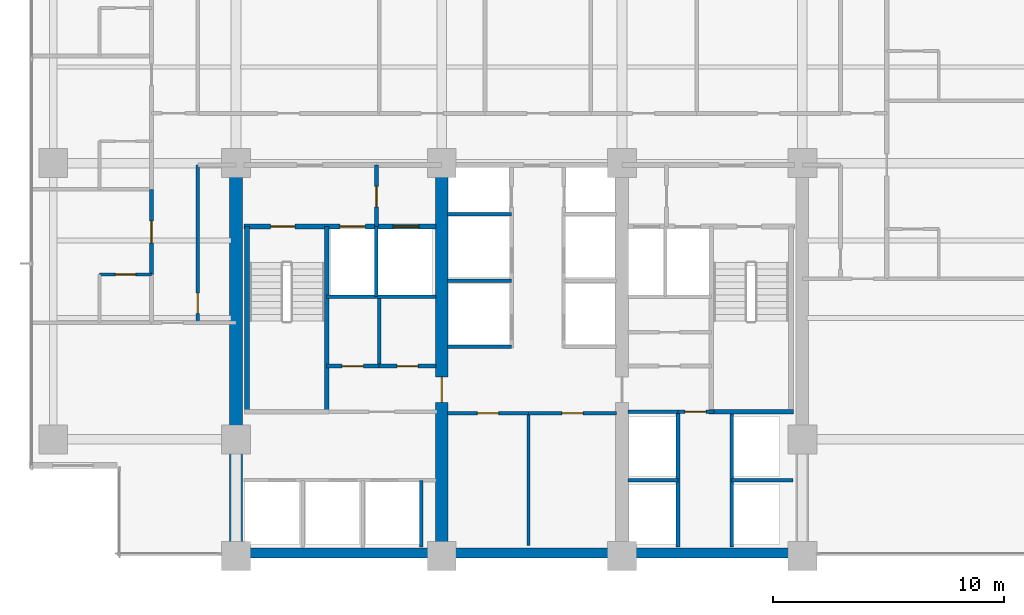
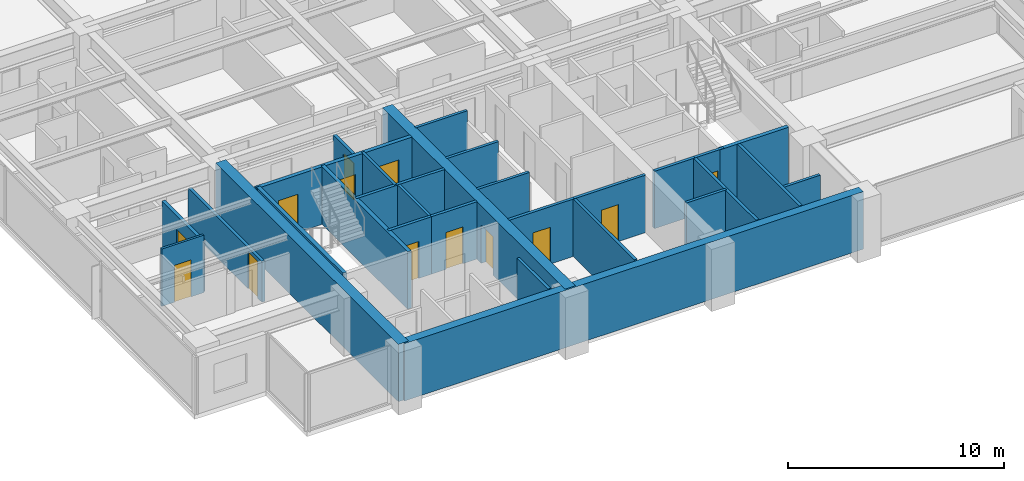
# One storey, part 8 of 17: 29 walls, 13 doors, 13 openings.
"""IFC4 building model written with IfcOpenShell, lengths in metres."""

from ifc_helpers import new_model, si_unit, direction, frame, frame_2d, origin, place, context, subcontext, project, spatial, rectangle, extrude, material, layer, layer_set, type_object, element, fill, save


model = new_model("IFC4")

# Units and contexts
model_context = context("Model", 3, precision=1e-05, world=origin(), true_north=direction((0.0, 1.0)))
body_context = subcontext(model_context, "Body", "Model", "MODEL_VIEW")
ifc_project = project(units=[si_unit("LENGTHUNIT", "METRE"), si_unit("AREAUNIT", "SQUARE_METRE"), si_unit("VOLUMEUNIT", "CUBIC_METRE"), si_unit("PLANEANGLEUNIT", "RADIAN"), si_unit("MASSUNIT", "GRAM", prefix="KILO")], contexts=[model_context])

# Site, building, storey
site_placement = place(None, origin())
site = spatial("IfcSite", under=ifc_project, at=site_placement, CompositionType="ELEMENT")
building_placement = place(site_placement, origin())
building = spatial("IfcBuilding", under=site, at=building_placement, Name="Qalmaran Belvedere Hotel", CompositionType="ELEMENT")
storey_placement = place(building_placement, frame((0.0, 0.0, 112.699951171875)))
storey = spatial("IfcBuildingStorey", under=building, at=storey_placement, Name="L28", CompositionType="ELEMENT", Elevation=112.699951171875)

# Wall
ifc_material_1 = material(Name="Concrete C60/75", Category="concrete")
ifc_layer_1 = layer(ifc_material_1, 0.550048828125, Name="Concrete C60/75")
ifc_layer_set_1 = layer_set([ifc_layer_1], Name="Concrete C60/75")
wall_type_1 = type_object("IfcWallType", Name="WL-CORE-550-C60", PredefinedType="SHEAR", material=ifc_layer_set_1)
wall_1_placement = place(storey_placement, frame((20.300048828125, 3.5, 0.0), z_axis=(0.0, 0.0, 1.0), x_axis=(0.0, 1.0, 0.0)))
element("IfcWall", 1, at=wall_1_placement, inside=storey, type_object=wall_type_1, Name="L28 West Core Shear Wall", PredefinedType="SHEAR", context=body_context, shape_type="SweptSolid", body=[
    extrude(rectangle(XDim=16.89990234375, YDim=0.550048828125, at=frame_2d((8.449951171875, 0.0))), origin(), (0.0, 0.0, 1.0), 3.239990234375),
])

# Wall, opening, door
wall_2_placement = place(storey_placement, frame((29.199951171875, 3.5, 0.0), z_axis=(0.0, 0.0, 1.0), x_axis=(0.0, 1.0, 0.0)))
wall_2 = element("IfcWall", 2, at=wall_2_placement, inside=storey, type_object=wall_type_1, Name="L28 Core West Spine Shear Wall", PredefinedType="SHEAR", context=body_context, shape_type="SweptSolid", body=[
    extrude(rectangle(XDim=16.89990234375, YDim=0.550048828125, at=frame_2d((8.449951171875, 0.0))), origin(), (0.0, 0.0, 1.0), 3.239990234375),
])
opening_1_placement = place(wall_2_placement, frame((7.75, 0.0, 0.0), z_axis=(0.0, 0.0, 1.0), x_axis=(-1.0, 0.0, 0.0)))
opening_1 = element("IfcOpeningElement", 3, at=opening_1_placement, cuts=wall_2, Name="Opening FD90", PredefinedType="OPENING", context=body_context, shape_type="SweptSolid", body=[
    extrude(rectangle(XDim=1.10009765625, YDim=2.14990234375, at=frame_2d((0.550048828125, 1.074951171875))), frame((0.0, 0.28515625, 0.0), z_axis=(0.0, -1.0, 0.0), x_axis=(1.0, 0.0, 0.0)), (0.0, 0.0, 1.0), 0.570068359375),
])
ifc_material_2 = material(Name="Steel S355JR", Category="steel")
door_type_1 = type_object("IfcDoorType", Name="DR-FD90-1100X2150", OperationType="NOTDEFINED", PredefinedType="DOOR", material=ifc_material_2)
door_1_placement = place(opening_1_placement, origin())
door_1 = element("IfcDoor", 4, at=door_1_placement, inside=storey, type_object=door_type_1, Name="L28 Core West Cross-Lobby Door", OperationType="SINGLE_SWING_RIGHT", OverallHeight=2.14990234375, OverallWidth=1.10009765625, PredefinedType="DOOR", context=body_context, shape_type="SweptSolid", body=[
    extrude(rectangle(XDim=1.10009765625, YDim=2.14990234375, at=frame_2d((0.550048828125, 1.074951171875))), frame((0.0, 0.02490234375, 0.0), z_axis=(0.0, -1.0, 0.0), x_axis=(1.0, 0.0, 0.0)), (0.0, 0.0, 1.0), 0.050048828125),
])
fill(opening_1, door_1)

# Wall
ifc_material_3 = material(Name="Concrete C50/60", Category="concrete")
ifc_layer_2 = layer(ifc_material_3, 0.43994140625, Name="Concrete C50/60")
ifc_layer_set_2 = layer_set([ifc_layer_2], Name="Concrete C50/60")
wall_type_2 = type_object("IfcWallType", Name="WL-CORES-440-EXT", PredefinedType="SHEAR", material=ifc_layer_set_2)
wall_3_placement = place(storey_placement, frame((20.300048828125, 3.6298828125, 0.0), z_axis=(0.0, 0.0, 1.0), x_axis=(1.0, 0.0, 0.0)))
element("IfcWall", 5, at=wall_3_placement, inside=storey, type_object=wall_type_2, Name="L28 South Core Shear Wall", PredefinedType="SHEAR", context=body_context, shape_type="SweptSolid", body=[
    extrude(rectangle(XDim=24.5, YDim=0.43994140625, at=frame_2d((12.25, 0.0))), origin(), (0.0, 0.0, 1.0), 3.239990234375),
])

# Wall, opening, door
ifc_material_4 = material(Name="Moisture-Resistant Gypsum")
ifc_layer_3 = layer(ifc_material_4, 0.1201171875, Name="Moisture-Resistant Gypsum")
ifc_layer_set_3 = layer_set([ifc_layer_3], Name="Moisture-Resistant Gypsum")
wall_type_3 = type_object("IfcWallType", Name="WL-INT-120-BATH", PredefinedType="PARTITIONING", material=ifc_layer_set_3)
wall_4_placement = place(storey_placement, frame((14.39990234375, 15.679931640625, 0.0), z_axis=(0.0, 0.0, 1.0), x_axis=(1.0, 0.0, 0.0)))
wall_4 = element("IfcWall", 6, at=wall_4_placement, inside=storey, type_object=wall_type_3, Name="L28 Partition WL-L28-WBN00", PredefinedType="PARTITIONING", context=body_context, shape_type="SweptSolid", body=[
    extrude(rectangle(XDim=2.25, YDim=0.1201171875, at=frame_2d((1.125, 0.0))), origin(), (0.0, 0.0, 1.0), 3.239990234375),
])
opening_2_placement = place(wall_4_placement, frame((1.56494140625, 0.0, 0.0), z_axis=(0.0, 0.0, 1.0), x_axis=(-1.0, 0.0, 0.0)))
opening_2 = element("IfcOpeningElement", 7, at=opening_2_placement, cuts=wall_4, Name="Opening D-BATH", PredefinedType="OPENING", context=body_context, shape_type="SweptSolid", body=[
    extrude(rectangle(XDim=0.8798828125, YDim=2.080078125, at=frame_2d((0.43994140625, 1.0400390625))), frame((0.0, 0.070068359375, 0.0), z_axis=(0.0, -1.0, 0.0), x_axis=(1.0, 0.0, 0.0)), (0.0, 0.0, 1.0), 0.14013671875),
])
ifc_material_5 = material(Name="Engineered Oak Veneer")
door_type_2 = type_object("IfcDoorType", Name="DR-INT-BATH-880X2080", OperationType="NOTDEFINED", PredefinedType="DOOR", material=ifc_material_5)
door_2_placement = place(opening_2_placement, origin())
door_2 = element("IfcDoor", 8, at=door_2_placement, inside=storey, type_object=door_type_2, Name="L28 W Ensuite Door 01", OperationType="SINGLE_SWING_RIGHT", OverallHeight=2.080078125, OverallWidth=0.8798828125, PredefinedType="DOOR", context=body_context, shape_type="SweptSolid", body=[
    extrude(rectangle(XDim=0.8798828125, YDim=2.080078125, at=frame_2d((0.43994140625, 1.0400390625))), frame((0.0, 0.02490234375, 0.0), z_axis=(0.0, -1.0, 0.0), x_axis=(1.0, 0.0, 0.0)), (0.0, 0.0, 1.0), 0.050048828125),
])
fill(opening_2, door_2)

# Walls
ifc_material_6 = material(Name="Gypsum Stud Partition")
ifc_layer_4 = layer(ifc_material_6, 0.14990234375, Name="Gypsum Stud Partition")
ifc_layer_set_4 = layer_set([ifc_layer_4], Name="Gypsum Stud Partition")
wall_type_4 = type_object("IfcWallType", Name="WL-INT-150-EI120", PredefinedType="PARTITIONING", material=ifc_layer_set_4)
wall_5_placement = place(storey_placement, frame((26.360107421875, 14.719970703125, 0.0), z_axis=(0.0, 0.0, 1.0), x_axis=(0.0, 1.0, 0.0)))
element("IfcWall", 9, at=wall_5_placement, inside=storey, type_object=wall_type_4, Name="L28 Partition WL-FF1M-L28", PredefinedType="PARTITIONING", context=body_context, shape_type="SweptSolid", body=[
    extrude(rectangle(XDim=3.0400390625, YDim=0.14990234375, at=frame_2d((1.52001953125, 0.0))), origin(), (0.0, 0.0, 1.0), 3.239990234375),
])
wall_6_placement = place(storey_placement, frame((28.320068359375, 3.89990234375, 0.0), z_axis=(0.0, 0.0, 1.0), x_axis=(0.0, 1.0, 0.0)))
element("IfcWall", 10, at=wall_6_placement, inside=storey, type_object=wall_type_4, Name="L28 Partition WL-POM3-L28", PredefinedType="PARTITIONING", context=body_context, shape_type="SweptSolid", body=[
    extrude(rectangle(XDim=2.880126953125, YDim=0.14990234375, at=frame_2d((1.43994140625, 0.0))), origin(), (0.0, 0.0, 1.0), 3.239990234375),
])
wall_7_placement = place(storey_placement, frame((37.25, 6.780029296875, 0.0), z_axis=(0.0, 0.0, 1.0), x_axis=(1.0, 0.0, 0.0)))
element("IfcWall", 11, at=wall_7_placement, inside=storey, type_object=wall_type_4, Name="L28 Partition WL-PHMW-L28", PredefinedType="PARTITIONING", context=body_context, shape_type="SweptSolid", body=[
    extrude(rectangle(XDim=2.169921875, YDim=0.14990234375, at=frame_2d((1.0849609375, 0.0))), origin(), (0.0, 0.0, 1.0), 3.239990234375),
])
wall_8_placement = place(storey_placement, frame((41.739990234375, 6.780029296875, 0.0), z_axis=(0.0, 0.0, 1.0), x_axis=(1.0, 0.0, 0.0)))
element("IfcWall", 12, at=wall_8_placement, inside=storey, type_object=wall_type_4, Name="L28 Partition WL-PHME-L28", PredefinedType="PARTITIONING", context=body_context, shape_type="SweptSolid", body=[
    extrude(rectangle(XDim=2.659912109375, YDim=0.14990234375, at=frame_2d((1.330078125, 0.0))), origin(), (0.0, 0.0, 1.0), 2.31298828125),
])
for number, where, z_axis, x_axis, name in (
    (13, (29.449951171875, 12.550048828125, 0.0), (0.0, 0.0, 1.0), (1.0, 0.0, 0.0), "L28 Partition WL-PMW-L28-125"),
    (14, (29.449951171875, 15.419921875, 0.0), (0.0, 0.0, 1.0), (1.0, 0.0, 0.0), "L28 Partition WL-PMW-L28-154"),
    (15, (29.449951171875, 18.280029296875, 0.0), (0.0, 0.0, 1.0), (1.0, 0.0, 0.0), "L28 Partition WL-PMW-L28-182"),
):
    element("IfcWall", number, at=place(storey_placement, frame(where, z_axis=z_axis, x_axis=x_axis)), inside=storey, type_object=wall_type_4, Name=name, PredefinedType="PARTITIONING", context=body_context, shape_type="SweptSolid", body=[
        extrude(rectangle(XDim=2.77001953125, YDim=0.14990234375, at=frame_2d((1.385009765625, 0.0))), origin(), (0.0, 0.0, 1.0), 3.239990234375),
    ])
ifc_layer_5 = layer(ifc_material_6, 0.14990234375, Name="Gypsum Stud Partition")
ifc_layer_set_5 = layer_set([ifc_layer_5], Name="Gypsum Stud Partition")
wall_type_5 = type_object("IfcWallType", Name="WL-INT-150-EI60", PredefinedType="PARTITIONING", material=ifc_layer_set_5)
wall_9_placement = place(storey_placement, frame((26.490478515625, 11.719970703125, 0.0), z_axis=(0.0, 0.0, 1.0), x_axis=(0.0, 1.0, 0.0)))
element("IfcWall", 16, at=wall_9_placement, inside=storey, type_object=wall_type_5, Name="L28 Partition WL-L28-KWV1", PredefinedType="PARTITIONING", context=body_context, shape_type="SweptSolid", body=[
    extrude(rectangle(XDim=2.929931640625, YDim=0.14990234375, at=frame_2d((1.46484375, 0.0))), origin(), (0.0, 0.0, 1.0), 3.239990234375),
])
wall_10_placement = place(storey_placement, frame((32.9541015625, 3.949951171875, 0.0), z_axis=(0.0, 0.0, 1.0), x_axis=(0.0, 1.0, 0.0)))
element("IfcWall", 17, at=wall_10_placement, inside=storey, type_object=wall_type_5, Name="L28 Partition WL-L28-KPLV1", PredefinedType="PARTITIONING", context=body_context, shape_type="SweptSolid", body=[
    extrude(rectangle(XDim=5.72998046875, YDim=0.14990234375, at=frame_2d((2.864990234375, 0.0))), origin(), (0.0, 0.0, 1.0), 3.239990234375),
])

# Wall, opening, door
ifc_layer_6 = layer(ifc_material_6, 0.159912109375, Name="Gypsum Stud Partition")
ifc_layer_set_6 = layer_set([ifc_layer_6], Name="Gypsum Stud Partition")
wall_type_6 = type_object("IfcWallType", Name="WL-INT-160-EI120", PredefinedType="PARTITIONING", material=ifc_layer_set_6)
wall_11_placement = place(storey_placement, frame((26.3798828125, 17.760009765625, 0.0), z_axis=(0.0, 0.0, 1.0), x_axis=(0.0, 1.0, 0.0)))
wall_11 = element("IfcWall", 18, at=wall_11_placement, inside=storey, type_object=wall_type_6, Name="L28 Partition WL-FFSV1-L28", PredefinedType="PARTITIONING", context=body_context, shape_type="SweptSolid", body=[
    extrude(rectangle(XDim=2.659912109375, YDim=0.159912109375, at=frame_2d((1.330078125, 0.0))), origin(), (0.0, 0.0, 1.0), 2.614013671875),
])
opening_3_placement = place(wall_11_placement, frame((0.85009765625, 0.0, 0.0)))
opening_3 = element("IfcOpeningElement", 19, at=opening_3_placement, cuts=wall_11, Name="Opening FD60B", PredefinedType="OPENING", context=body_context, shape_type="SweptSolid", body=[
    extrude(rectangle(XDim=0.8798828125, YDim=2.080078125, at=frame_2d((0.43994140625, 1.0400390625))), frame((0.0, 0.08984375, 0.0), z_axis=(0.0, -1.0, 0.0), x_axis=(1.0, 0.0, 0.0)), (0.0, 0.0, 1.0), 0.179931640625),
])
door_type_3 = type_object("IfcDoorType", Name="DR-FD60B-880X2080", OperationType="NOTDEFINED", PredefinedType="DOOR", material=ifc_material_2)
door_3_placement = place(opening_3_placement, origin())
door_3 = element("IfcDoor", 20, at=door_3_placement, inside=storey, type_object=door_type_3, Name="L28 Service Lobby West Door", OperationType="SINGLE_SWING_RIGHT", OverallHeight=2.080078125, OverallWidth=0.8798828125, PredefinedType="DOOR", context=body_context, shape_type="SweptSolid", body=[
    extrude(rectangle(XDim=0.8798828125, YDim=2.080078125, at=frame_2d((0.43994140625, 1.0400390625))), frame((0.0, 0.02490234375, 0.0), z_axis=(0.0, -1.0, 0.0), x_axis=(1.0, 0.0, 0.0)), (0.0, 0.0, 1.0), 0.050048828125),
])
fill(opening_3, door_3)

# Walls
wall_12_placement = place(storey_placement, frame((24.219970703125, 14.719970703125, 0.0), z_axis=(0.0, 0.0, 1.0), x_axis=(1.0, 0.0, 0.0)))
element("IfcWall", 21, at=wall_12_placement, inside=storey, type_object=wall_type_6, Name="L28 Partition WL-FF1S-L28", PredefinedType="PARTITIONING", context=body_context, shape_type="SweptSolid", body=[
    extrude(rectangle(XDim=4.72998046875, YDim=0.159912109375, at=frame_2d((2.364990234375, 0.0))), origin(), (0.0, 0.0, 1.0), 3.239990234375),
])
for number, where, z_axis, x_axis, name in (
    (22, (39.419921875, 3.89990234375, 0.0), (0.0, 0.0, 1.0), (0.0, 1.0, 0.0), "L28 Partition WL-PHW-L28"),
    (23, (41.739990234375, 3.89990234375, 0.0), (0.0, 0.0, 1.0), (0.0, 1.0, 0.0), "L28 Partition WL-PHE-L28"),
):
    element("IfcWall", number, at=place(storey_placement, frame(where, z_axis=z_axis, x_axis=x_axis)), inside=storey, type_object=wall_type_6, Name=name, PredefinedType="PARTITIONING", context=body_context, shape_type="SweptSolid", body=[
        extrude(rectangle(XDim=5.840087890625, YDim=0.159912109375, at=frame_2d((2.919921875, 0.0))), origin(), (0.0, 0.0, 1.0), 3.239990234375),
    ])
wall_13_placement = place(storey_placement, frame((37.25, 9.739990234375, 0.0), z_axis=(0.0, 0.0, 1.0), x_axis=(1.0, 0.0, 0.0)))
element("IfcWall", 24, at=wall_13_placement, inside=storey, type_object=wall_type_6, Name="L28 Partition WL-PHNW-L28", PredefinedType="PARTITIONING", context=body_context, shape_type="SweptSolid", body=[
    extrude(rectangle(XDim=2.169921875, YDim=0.159912109375, at=frame_2d((1.0849609375, 0.0))), origin(), (0.0, 0.0, 1.0), 3.239990234375),
])

# Wall, opening, door
wall_14_placement = place(storey_placement, frame((39.419921875, 9.739990234375, 0.0), z_axis=(0.0, 0.0, 1.0), x_axis=(1.0, 0.0, 0.0)))
wall_14 = element("IfcWall", 25, at=wall_14_placement, inside=storey, type_object=wall_type_6, Name="L28 Partition WL-PHNL-L28", PredefinedType="PARTITIONING", context=body_context, shape_type="SweptSolid", body=[
    extrude(rectangle(XDim=1.56005859375, YDim=0.159912109375, at=frame_2d((0.780029296875, 0.0))), origin(), (0.0, 0.0, 1.0), 3.239990234375),
])
opening_4_placement = place(wall_14_placement, frame((0.300048828125, 0.0, 0.0)))
opening_4 = element("IfcOpeningElement", 26, at=opening_4_placement, cuts=wall_14, Name="Opening FD60S1", PredefinedType="OPENING", context=body_context, shape_type="SweptSolid", body=[
    extrude(rectangle(XDim=0.919921875, YDim=2.080078125, at=frame_2d((0.4599609375, 1.0400390625))), frame((0.0, 0.08984375, 0.0), z_axis=(0.0, -1.0, 0.0), x_axis=(1.0, 0.0, 0.0)), (0.0, 0.0, 1.0), 0.179931640625),
])
door_type_4 = type_object("IfcDoorType", Name="DR-FD60S-920X2080", OperationType="NOTDEFINED", PredefinedType="DOOR", material=ifc_material_5)
door_4_placement = place(opening_4_placement, origin())
door_4 = element("IfcDoor", 27, at=door_4_placement, inside=storey, type_object=door_type_4, Name="L28 High-Rise Lift Lobby Passage Door", OperationType="SINGLE_SWING_RIGHT", OverallHeight=2.080078125, OverallWidth=0.919921875, PredefinedType="DOOR", context=body_context, shape_type="SweptSolid", body=[
    extrude(rectangle(XDim=0.919921875, YDim=2.080078125, at=frame_2d((0.4599609375, 1.0400390625))), frame((0.0, 0.02490234375, 0.0), z_axis=(0.0, -1.0, 0.0), x_axis=(1.0, 0.0, 0.0)), (0.0, 0.0, 1.0), 0.050048828125),
])
fill(opening_4, door_4)

ifc_layer_7 = layer(ifc_material_6, 0.159912109375, Name="Gypsum Stud Partition")
ifc_layer_set_7 = layer_set([ifc_layer_7], Name="Gypsum Stud Partition")
wall_type_7 = type_object("IfcWallType", Name="WL-INT-160-EI60", PredefinedType="PARTITIONING", material=ifc_layer_set_7)
wall_15_placement = place(storey_placement, frame((24.219970703125, 11.719970703125, 0.0), z_axis=(0.0, 0.0, 1.0), x_axis=(1.0, 0.0, 0.0)))
wall_15 = element("IfcWall", 28, at=wall_15_placement, inside=storey, type_object=wall_type_7, Name="L28 Partition WL-L28-KWE1", PredefinedType="PARTITIONING", context=body_context, shape_type="SweptSolid", body=[
    extrude(rectangle(XDim=2.2705078125, YDim=0.159912109375, at=frame_2d((1.13525390625, 0.0))), origin(), (0.0, 0.0, 1.0), 3.239990234375),
])
opening_5_placement = place(wall_15_placement, frame((0.67529296875, 0.0, 0.0)))
opening_5 = element("IfcOpeningElement", 29, at=opening_5_placement, cuts=wall_15, Name="Opening FD60S1", PredefinedType="OPENING", context=body_context, shape_type="SweptSolid", body=[
    extrude(rectangle(XDim=0.919921875, YDim=2.080078125, at=frame_2d((0.4599609375, 1.0400390625))), frame((0.0, 0.08984375, 0.0), z_axis=(0.0, -1.0, 0.0), x_axis=(1.0, 0.0, 0.0)), (0.0, 0.0, 1.0), 0.179931640625),
])
door_5_placement = place(opening_5_placement, origin())
door_5 = element("IfcDoor", 30, at=door_5_placement, inside=storey, type_object=door_type_4, Name="L28 Telecom and IT Room Door", OperationType="SINGLE_SWING_LEFT", OverallHeight=2.080078125, OverallWidth=0.919921875, PredefinedType="DOOR", context=body_context, shape_type="SweptSolid", body=[
    extrude(rectangle(XDim=0.919921875, YDim=2.080078125, at=frame_2d((0.4599609375, 1.0400390625))), frame((0.0, 0.02490234375, 0.0), z_axis=(0.0, -1.0, 0.0), x_axis=(1.0, 0.0, 0.0)), (0.0, 0.0, 1.0), 0.050048828125),
])
fill(opening_5, door_5)

wall_16_placement = place(storey_placement, frame((26.490478515625, 11.719970703125, 0.0), z_axis=(0.0, 0.0, 1.0), x_axis=(1.0, 0.0, 0.0)))
wall_16 = element("IfcWall", 31, at=wall_16_placement, inside=storey, type_object=wall_type_7, Name="L28 Partition WL-L28-KWE2", PredefinedType="PARTITIONING", context=body_context, shape_type="SweptSolid", body=[
    extrude(rectangle(XDim=2.45947265625, YDim=0.159912109375, at=frame_2d((1.229736328125, 0.0))), origin(), (0.0, 0.0, 1.0), 3.239990234375),
])
opening_6_placement = place(wall_16_placement, frame((0.769775390625, 0.0, 0.0)))
opening_6 = element("IfcOpeningElement", 32, at=opening_6_placement, cuts=wall_16, Name="Opening FD60S1", PredefinedType="OPENING", context=body_context, shape_type="SweptSolid", body=[
    extrude(rectangle(XDim=0.919921875, YDim=2.080078125, at=frame_2d((0.4599609375, 1.0400390625))), frame((0.0, 0.08984375, 0.0), z_axis=(0.0, -1.0, 0.0), x_axis=(1.0, 0.0, 0.0)), (0.0, 0.0, 1.0), 0.179931640625),
])
door_6_placement = place(opening_6_placement, origin())
door_6 = element("IfcDoor", 33, at=door_6_placement, inside=storey, type_object=door_type_4, Name="L28 Cleaner Supply Store Door", OperationType="SINGLE_SWING_RIGHT", OverallHeight=2.080078125, OverallWidth=0.919921875, PredefinedType="DOOR", context=body_context, shape_type="SweptSolid", body=[
    extrude(rectangle(XDim=0.919921875, YDim=2.080078125, at=frame_2d((0.4599609375, 1.0400390625))), frame((0.0, 0.02490234375, 0.0), z_axis=(0.0, -1.0, 0.0), x_axis=(1.0, 0.0, 0.0)), (0.0, 0.0, 1.0), 0.050048828125),
])
fill(opening_6, door_6)

wall_17_placement = place(storey_placement, frame((29.449951171875, 9.679931640625, 0.0), z_axis=(0.0, 0.0, 1.0), x_axis=(1.0, 0.0, 0.0)))
wall_17 = element("IfcWall", 34, at=wall_17_placement, inside=storey, type_object=wall_type_7, Name="L28 Partition WL-L28-KPLE1", PredefinedType="PARTITIONING", context=body_context, shape_type="SweptSolid", body=[
    extrude(rectangle(XDim=3.504150390625, YDim=0.159912109375, at=frame_2d((1.751953125, 0.0))), origin(), (0.0, 0.0, 1.0), 3.239990234375),
])
opening_7_placement = place(wall_17_placement, frame((2.2119140625, 0.0, 0.0), z_axis=(0.0, 0.0, 1.0), x_axis=(-1.0, 0.0, 0.0)))
opening_7 = element("IfcOpeningElement", 35, at=opening_7_placement, cuts=wall_17, Name="Opening FD60S1", PredefinedType="OPENING", context=body_context, shape_type="SweptSolid", body=[
    extrude(rectangle(XDim=0.919921875, YDim=2.080078125, at=frame_2d((0.4599609375, 1.0400390625))), frame((0.0, 0.08984375, 0.0), z_axis=(0.0, -1.0, 0.0), x_axis=(1.0, 0.0, 0.0)), (0.0, 0.0, 1.0), 0.179931640625),
])
door_7_placement = place(opening_7_placement, origin())
door_7 = element("IfcDoor", 36, at=door_7_placement, inside=storey, type_object=door_type_4, Name="L28 Hotel Butler Service Pantry Door", OperationType="SINGLE_SWING_LEFT", OverallHeight=2.080078125, OverallWidth=0.919921875, PredefinedType="DOOR", context=body_context, shape_type="SweptSolid", body=[
    extrude(rectangle(XDim=0.919921875, YDim=2.080078125, at=frame_2d((0.4599609375, 1.0400390625))), frame((0.0, 0.02490234375, 0.0), z_axis=(0.0, -1.0, 0.0), x_axis=(1.0, 0.0, 0.0)), (0.0, 0.0, 1.0), 0.050048828125),
])
fill(opening_7, door_7)

wall_18_placement = place(storey_placement, frame((32.9541015625, 9.679931640625, 0.0), z_axis=(0.0, 0.0, 1.0), x_axis=(1.0, 0.0, 0.0)))
wall_18 = element("IfcWall", 37, at=wall_18_placement, inside=storey, type_object=wall_type_7, Name="L28 Partition WL-L28-KPLE2", PredefinedType="PARTITIONING", context=body_context, shape_type="SweptSolid", body=[
    extrude(rectangle(XDim=3.7958984375, YDim=0.159912109375, at=frame_2d((1.89794921875, 0.0))), origin(), (0.0, 0.0, 1.0), 3.239990234375),
])
opening_8_placement = place(wall_18_placement, frame((2.35791015625, 0.0, 0.0), z_axis=(0.0, 0.0, 1.0), x_axis=(-1.0, 0.0, 0.0)))
opening_8 = element("IfcOpeningElement", 38, at=opening_8_placement, cuts=wall_18, Name="Opening FD60S1", PredefinedType="OPENING", context=body_context, shape_type="SweptSolid", body=[
    extrude(rectangle(XDim=0.919921875, YDim=2.080078125, at=frame_2d((0.4599609375, 1.0400390625))), frame((0.0, 0.08984375, 0.0), z_axis=(0.0, -1.0, 0.0), x_axis=(1.0, 0.0, 0.0)), (0.0, 0.0, 1.0), 0.179931640625),
])
door_8_placement = place(opening_8_placement, origin())
door_8 = element("IfcDoor", 39, at=door_8_placement, inside=storey, type_object=door_type_4, Name="L28 Guest Valet Supply Store Door", OperationType="SINGLE_SWING_RIGHT", OverallHeight=2.080078125, OverallWidth=0.919921875, PredefinedType="DOOR", context=body_context, shape_type="SweptSolid", body=[
    extrude(rectangle(XDim=0.919921875, YDim=2.080078125, at=frame_2d((0.4599609375, 1.0400390625))), frame((0.0, 0.02490234375, 0.0), z_axis=(0.0, -1.0, 0.0), x_axis=(1.0, 0.0, 0.0)), (0.0, 0.0, 1.0), 0.050048828125),
])
fill(opening_8, door_8)

wall_19_placement = place(storey_placement, frame((18.64990234375, 13.60009765625, 0.0), z_axis=(0.0, 0.0, 1.0), x_axis=(0.0, 1.0, 0.0)))
wall_19 = element("IfcWall", 40, at=wall_19_placement, inside=storey, type_object=wall_type_7, Name="L28 Partition WL-L28-WCL", PredefinedType="PARTITIONING", context=body_context, shape_type="SweptSolid", body=[
    extrude(rectangle(XDim=6.81982421875, YDim=0.159912109375, at=frame_2d((3.409912109375, 0.0))), origin(), (0.0, 0.0, 1.0), 2.31298828125),
])
opening_9_placement = place(wall_19_placement, frame((1.27978515625, 0.0, 0.0), z_axis=(0.0, 0.0, 1.0), x_axis=(-1.0, 0.0, 0.0)))
opening_9 = element("IfcOpeningElement", 41, at=opening_9_placement, cuts=wall_19, Name="Opening FD60B", PredefinedType="OPENING", context=body_context, shape_type="SweptSolid", body=[
    extrude(rectangle(XDim=0.8798828125, YDim=2.080078125, at=frame_2d((0.43994140625, 1.0400390625))), frame((0.0, 0.08984375, 0.0), z_axis=(0.0, -1.0, 0.0), x_axis=(1.0, 0.0, 0.0)), (0.0, 0.0, 1.0), 0.179931640625),
])
door_9_placement = place(opening_9_placement, origin())
door_9 = element("IfcDoor", 42, at=door_9_placement, inside=storey, type_object=door_type_3, Name="L28 West Closet Door", OperationType="SINGLE_SWING_LEFT", OverallHeight=2.080078125, OverallWidth=0.8798828125, PredefinedType="DOOR", context=body_context, shape_type="SweptSolid", body=[
    extrude(rectangle(XDim=0.8798828125, YDim=2.080078125, at=frame_2d((0.43994140625, 1.0400390625))), frame((0.0, 0.02490234375, 0.0), z_axis=(0.0, -1.0, 0.0), x_axis=(1.0, 0.0, 0.0)), (0.0, 0.0, 1.0), 0.050048828125),
])
fill(opening_9, door_9)

ifc_layer_8 = layer(ifc_material_6, 0.179931640625, Name="Gypsum Stud Partition")
ifc_layer_set_8 = layer_set([ifc_layer_8], Name="Gypsum Stud Partition")
wall_type_8 = type_object("IfcWallType", Name="WL-INT-180-EI60", PredefinedType="PARTITIONING", material=ifc_layer_set_8)
wall_20_placement = place(storey_placement, frame((16.64990234375, 15.679931640625, 0.0), z_axis=(0.0, 0.0, 1.0), x_axis=(0.0, 1.0, 0.0)))
wall_20 = element("IfcWall", 43, at=wall_20_placement, inside=storey, type_object=wall_type_8, Name="L28 Partition WL-L28-WEC00", PredefinedType="PARTITIONING", context=body_context, shape_type="SweptSolid", body=[
    extrude(rectangle(XDim=3.686767578125, YDim=0.179931640625, at=frame_2d((1.84326171875, 0.0))), origin(), (0.0, 0.0, 1.0), 2.922119140625),
])
opening_10_placement = place(wall_20_placement, frame((1.368408203125, 0.0, 0.0)))
opening_10 = element("IfcOpeningElement", 44, at=opening_10_placement, cuts=wall_20, Name="Opening FD60", PredefinedType="OPENING", context=body_context, shape_type="SweptSolid", body=[
    extrude(rectangle(XDim=0.949951171875, YDim=2.14990234375, at=frame_2d((0.47509765625, 1.074951171875))), frame((0.0, 0.10009765625, 0.0), z_axis=(0.0, -1.0, 0.0), x_axis=(1.0, 0.0, 0.0)), (0.0, 0.0, 1.0), 0.199951171875),
])
door_type_5 = type_object("IfcDoorType", Name="DR-FD60-950X2150", OperationType="NOTDEFINED", PredefinedType="DOOR", material=ifc_material_5)
door_10_placement = place(opening_10_placement, origin())
door_10 = element("IfcDoor", 45, at=door_10_placement, inside=storey, type_object=door_type_5, Name="L28 W Wing Door 01", OperationType="SINGLE_SWING_LEFT", OverallHeight=2.14990234375, OverallWidth=0.949951171875, PredefinedType="DOOR", context=body_context, shape_type="SweptSolid", body=[
    extrude(rectangle(XDim=0.949951171875, YDim=2.14990234375, at=frame_2d((0.47509765625, 1.074951171875))), frame((0.0, 0.02490234375, 0.0), z_axis=(0.0, -1.0, 0.0), x_axis=(1.0, 0.0, 0.0)), (0.0, 0.0, 1.0), 0.050048828125),
])
fill(opening_10, door_10)

# Walls
ifc_layer_9 = layer(ifc_material_3, 0.2099609375, Name="Concrete C50/60")
ifc_layer_set_9 = layer_set([ifc_layer_9], Name="Concrete C50/60")
wall_type_9 = type_object("IfcWallType", Name="WL-STAIR-210-C50", PredefinedType="SHEAR", material=ifc_layer_set_9)
for number, where, z_axis, x_axis, name in (
    (46, (20.77490234375, 9.7451171875, 0.0), (0.0, 0.0, 1.0), (0.0, 1.0, 0.0), "L28 Stair ST-1 West Bearing Wall"),
    (47, (24.22509765625, 9.7451171875, 0.0), (0.0, 0.0, 1.0), (0.0, 1.0, 0.0), "L28 Stair ST-1 East Bearing Wall"),
):
    element("IfcWall", number, at=place(storey_placement, frame(where, z_axis=z_axis, x_axis=x_axis)), inside=storey, type_object=wall_type_9, Name=name, PredefinedType="SHEAR", context=body_context, shape_type="SweptSolid", body=[
        extrude(rectangle(XDim=8.009765625, YDim=0.2099609375, at=frame_2d((4.0048828125, 0.0))), origin(), (0.0, 0.0, 1.0), 3.239990234375),
    ])

# Wall, openings, doors
wall_21_placement = place(storey_placement, frame((20.64990234375, 17.7548828125, 0.0), z_axis=(0.0, 0.0, 1.0), x_axis=(1.0, 0.0, 0.0)))
wall_21 = element("IfcWall", 48, at=wall_21_placement, inside=storey, type_object=wall_type_9, Name="L28 West Lobby and Stair ST-1 North Bearing Wall", PredefinedType="SHEAR", context=body_context, shape_type="SweptSolid", body=[
    extrude(rectangle(XDim=8.300048828125, YDim=0.2099609375, at=frame_2d((4.14990234375, 0.0))), origin(), (0.0, 0.0, 1.0), 3.239990234375),
])
opening_11_placement = place(wall_21_placement, frame((2.199951171875, 0.0, 0.0), z_axis=(0.0, 0.0, 1.0), x_axis=(-1.0, 0.0, 0.0)))
opening_11 = element("IfcOpeningElement", 49, at=opening_11_placement, cuts=wall_21, Name="Opening FD90S2", PredefinedType="OPENING", context=body_context, shape_type="SweptSolid", body=[
    extrude(rectangle(XDim=1.050048828125, YDim=2.14990234375, at=frame_2d((0.52490234375, 1.074951171875))), frame((0.0, 0.114990234375, 0.0), z_axis=(0.0, -1.0, 0.0), x_axis=(1.0, 0.0, 0.0)), (0.0, 0.0, 1.0), 0.22998046875),
])
opening_12_placement = place(wall_21_placement, frame((4.14990234375, 0.0, 0.0)))
opening_12 = element("IfcOpeningElement", 50, at=opening_12_placement, cuts=wall_21, Name="Opening LD-FF", PredefinedType="OPENING", context=body_context, shape_type="SweptSolid", body=[
    extrude(rectangle(XDim=1.10009765625, YDim=2.179931640625, at=frame_2d((0.550048828125, 1.08984375))), frame((0.0, 0.114990234375, 0.0), z_axis=(0.0, -1.0, 0.0), x_axis=(1.0, 0.0, 0.0)), (0.0, 0.0, 1.0), 0.22998046875),
])
opening_13_placement = place(wall_21_placement, frame((6.449951171875, 0.0, 0.0)))
opening_13 = element("IfcOpeningElement", 51, at=opening_13_placement, cuts=wall_21, Name="Opening LD-SV", PredefinedType="OPENING", context=body_context, shape_type="SweptSolid", body=[
    extrude(rectangle(XDim=1.1201171875, YDim=2.199951171875, at=frame_2d((0.56005859375, 1.10009765625))), frame((0.0, 0.114990234375, 0.0), z_axis=(0.0, -1.0, 0.0), x_axis=(1.0, 0.0, 0.0)), (0.0, 0.0, 1.0), 0.22998046875),
])
door_type_6 = type_object("IfcDoorType", Name="DR-FD90S-1050X2150", OperationType="NOTDEFINED", PredefinedType="DOOR", material=ifc_material_2)
door_11_placement = place(opening_11_placement, origin())
door_11 = element("IfcDoor", 52, at=door_11_placement, inside=storey, type_object=door_type_6, Name="L28 Stair ST-1 Door", OperationType="SINGLE_SWING_RIGHT", OverallHeight=2.14990234375, OverallWidth=1.050048828125, PredefinedType="DOOR", context=body_context, shape_type="SweptSolid", body=[
    extrude(rectangle(XDim=1.050048828125, YDim=2.14990234375, at=frame_2d((0.52490234375, 1.074951171875))), frame((0.0, 0.02490234375, 0.0), z_axis=(0.0, -1.0, 0.0), x_axis=(1.0, 0.0, 0.0)), (0.0, 0.0, 1.0), 0.050048828125),
])
fill(opening_11, door_11)
ifc_material_7 = material(Name="Stainless Steel 1.4401", Category="steel")
door_type_7 = type_object("IfcDoorType", Name="DR-LIFT-FF-1100X2180", OperationType="DOUBLE_DOOR_SLIDING", PredefinedType="DOOR", material=ifc_material_7)
door_12_placement = place(opening_12_placement, origin())
door_12 = element("IfcDoor", 53, at=door_12_placement, inside=storey, type_object=door_type_7, Name="L28 FF1 Lift Landing Door", OperationType="DOUBLE_DOOR_SLIDING", OverallHeight=2.179931640625, OverallWidth=1.10009765625, PredefinedType="DOOR", context=body_context, shape_type="SweptSolid", body=[
    extrude(rectangle(XDim=1.10009765625, YDim=2.179931640625, at=frame_2d((0.550048828125, 1.08984375))), frame((0.0, 0.02490234375, 0.0), z_axis=(0.0, -1.0, 0.0), x_axis=(1.0, 0.0, 0.0)), (0.0, 0.0, 1.0), 0.050048828125),
])
fill(opening_12, door_12)
door_type_8 = type_object("IfcDoorType", Name="DR-LIFT-SV-1120X2200", OperationType="DOUBLE_DOOR_SLIDING", PredefinedType="DOOR", material=ifc_material_7)
door_13_placement = place(opening_13_placement, origin())
door_13 = element("IfcDoor", 54, at=door_13_placement, inside=storey, type_object=door_type_8, Name="L28 SV1 Lift Landing Door", OperationType="DOUBLE_DOOR_SLIDING", OverallHeight=2.199951171875, OverallWidth=1.1201171875, PredefinedType="DOOR", context=body_context, shape_type="SweptSolid", body=[
    extrude(rectangle(XDim=1.1201171875, YDim=2.199951171875, at=frame_2d((0.56005859375, 1.10009765625))), frame((0.0, 0.02490234375, 0.0), z_axis=(0.0, -1.0, 0.0), x_axis=(1.0, 0.0, 0.0)), (0.0, 0.0, 1.0), 0.050048828125),
])
fill(opening_13, door_13)

# Wall
wall_22_placement = place(storey_placement, frame((40.75, 9.7451171875, 0.0), z_axis=(0.0, 0.0, 1.0), x_axis=(1.0, 0.0, 0.0)))
element("IfcWall", 55, at=wall_22_placement, inside=storey, type_object=wall_type_9, Name="L28 Stair ST-2 South Bearing Wall", PredefinedType="SHEAR", context=body_context, shape_type="SweptSolid", body=[
    extrude(rectangle(XDim=3.659912109375, YDim=0.2099609375, at=frame_2d((1.830078125, 0.0))), origin(), (0.0, 0.0, 1.0), 3.239990234375),
])

save(model, "model.ifc")
